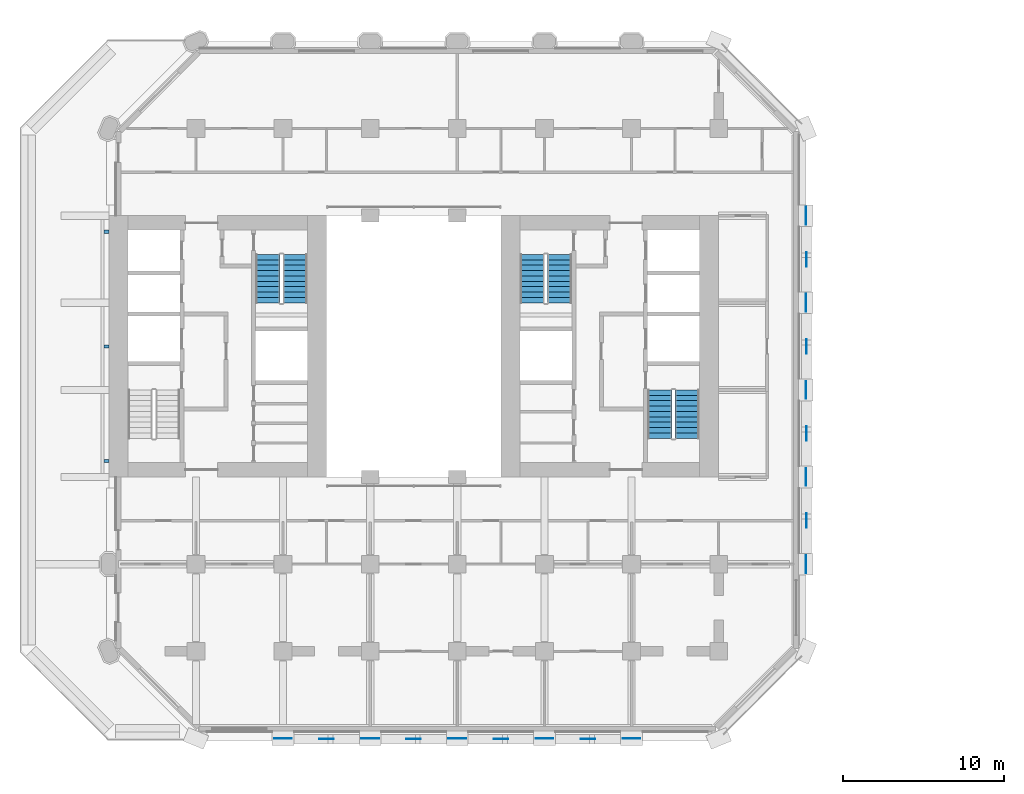
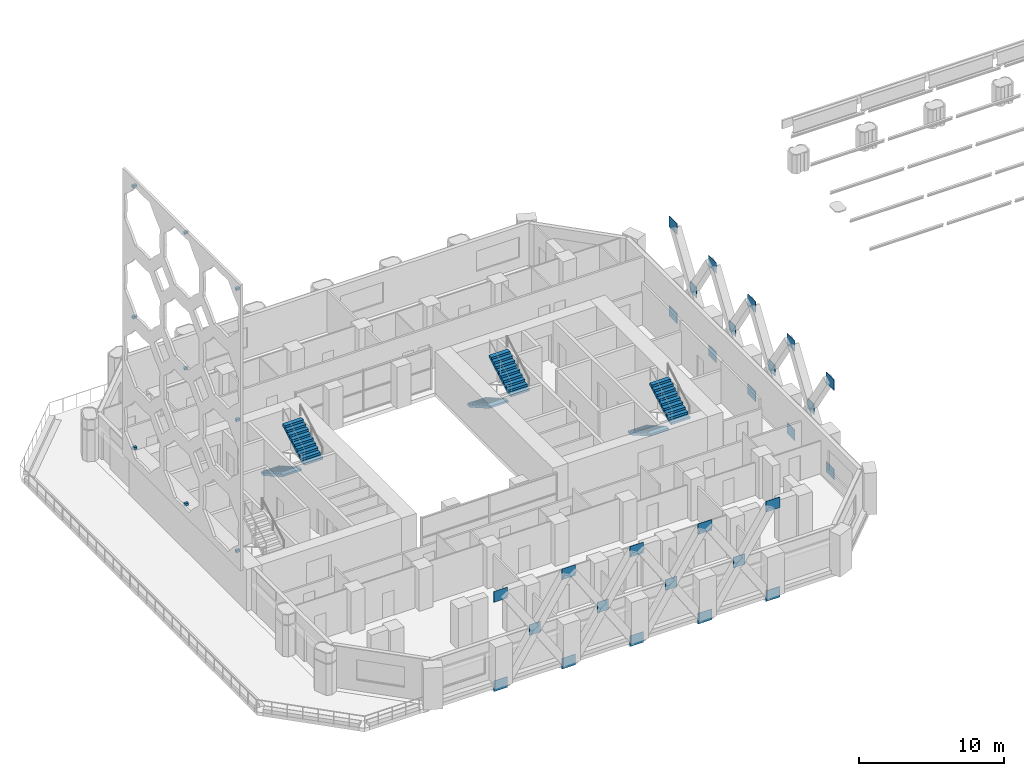
# One storey, part 11 of 14: 37 discrete accessories, 6 stair flights, 3 elements without a shape of their own.
"""IFC4 building model written with IfcOpenShell, lengths in metres."""

from ifc_helpers import new_model, si_unit, direction, frame, origin, origin_2d, place, context, subcontext, project, spatial, polyline, rectangle, outline, extrude, material, layer, layer_set, type_object, element, aggregate, save


model = new_model("IFC4")

# Units and contexts
model_context = context("Model", 3, precision=1e-05, world=origin(), true_north=direction((0.0, 1.0)))
body_context = subcontext(model_context, "Body", "Model", "MODEL_VIEW")
ifc_project = project(units=[si_unit("LENGTHUNIT", "METRE"), si_unit("AREAUNIT", "SQUARE_METRE"), si_unit("VOLUMEUNIT", "CUBIC_METRE"), si_unit("PLANEANGLEUNIT", "RADIAN"), si_unit("MASSUNIT", "GRAM", prefix="KILO")], contexts=[model_context])

# Site, building, storey
site_placement = place(None, origin())
site = spatial("IfcSite", under=ifc_project, at=site_placement, CompositionType="ELEMENT")
building_placement = place(site_placement, origin())
building = spatial("IfcBuilding", under=site, at=building_placement, Name="Tabaq Tower and Sports Hall", CompositionType="ELEMENT")
storey_placement = place(building_placement, frame((0.0, 0.0, 33.60009765625)))
storey = spatial("IfcBuildingStorey", under=building, at=storey_placement, Name="L06", CompositionType="ELEMENT", Elevation=33.60009765625)

# Stair, stair flights
ifc_material_1 = material(Name="Concrete C40/50", Category="concrete")
stair_type = type_object("IfcStairType", Name="Exit stair", PredefinedType="HALF_TURN_STAIR", material=ifc_material_1)
stair_1_placement = place(storey_placement, origin())
stair_1 = element("IfcStair", 1, at=stair_1_placement, inside=storey, type_object=stair_type, Name="L06 Exit stair ST2", PredefinedType="HALF_TURN_STAIR")
ifc_material_2 = material(Name="Concrete C40/50", Category="concrete")
stair_flight_type = type_object("IfcStairFlightType", Name="Exit stair flight", PredefinedType="STRAIGHT", material=ifc_material_2)
stair_flight_1_placement = place(storey_placement, frame((15.25, 30.0, 0.0), z_axis=(0.0, 0.0, 1.0), x_axis=(0.0, -1.0, 0.0)))
stair_flight_1 = element("IfcStairFlight", 2, at=stair_flight_1_placement, type_object=stair_flight_type, Name="ST2 flight 1", NumberOfRisers=10, NumberOfTreads=9, PredefinedType="STRAIGHT", RiserHeight=0.19, TreadLength=0.333333333, context=body_context, shape_type="SweptSolid", body=[
    extrude(outline(polyline([(0.0, 0.0), (0.0, 0.18994140625), (0.333251953125, 0.18994140625), (0.333251953125, 0.3798828125), (0.666748046875, 0.3798828125), (0.666748046875, 0.570068359375), (1.0, 0.570068359375), (1.0, 0.760009765625), (1.333251953125, 0.760009765625), (1.333251953125, 0.949951171875), (1.666748046875, 0.949951171875), (1.666748046875, 1.139892578125), (2.0, 1.139892578125), (2.0, 1.330078125), (2.333251953125, 1.330078125), (2.333251953125, 1.52001953125), (2.666748046875, 1.52001953125), (2.666748046875, 1.7099609375), (3.0, 1.7099609375), (3.0, 1.89990234375), (3.0, 1.537353515625), (0.302734375, 0.0), (0.0, 0.0)])), frame((0.0, 0.75, 0.0), z_axis=(0.0, -1.0, 0.0), x_axis=(1.0, 0.0, 0.0)), (0.0, 0.0, 1.0), 1.5),
])
stair_flight_2_placement = place(storey_placement, frame((16.949951171875, 27.0, 1.89990234375), z_axis=(0.0, 0.0, 1.0), x_axis=(0.0, 1.0, 0.0)))
stair_flight_2 = element("IfcStairFlight", 3, at=stair_flight_2_placement, type_object=stair_flight_type, Name="ST2 flight 2", NumberOfRisers=10, NumberOfTreads=9, PredefinedType="STRAIGHT", RiserHeight=0.19, TreadLength=0.333333333, context=body_context, shape_type="SweptSolid", body=[
    extrude(outline(polyline([(0.0, 0.0), (0.0, 0.18994140625), (0.333251953125, 0.18994140625), (0.333251953125, 0.3798828125), (0.666748046875, 0.3798828125), (0.666748046875, 0.570068359375), (1.0, 0.570068359375), (1.0, 0.760009765625), (1.333251953125, 0.760009765625), (1.333251953125, 0.949951171875), (1.666748046875, 0.949951171875), (1.666748046875, 1.139892578125), (2.0, 1.139892578125), (2.0, 1.330078125), (2.333251953125, 1.330078125), (2.333251953125, 1.52001953125), (2.666748046875, 1.52001953125), (2.666748046875, 1.7099609375), (3.0, 1.7099609375), (3.0, 1.89990234375), (3.0, 1.537353515625), (0.302734375, 0.0), (0.0, 0.0)])), frame((0.0, 0.75, 0.0), z_axis=(0.0, -1.0, 0.0), x_axis=(1.0, 0.0, 0.0)), (0.0, 0.0, 1.0), 1.5),
])
aggregate(stair_1, [stair_flight_1, stair_flight_2])

stair_2_placement = place(storey_placement, origin())
stair_2 = element("IfcStair", 4, at=stair_2_placement, inside=storey, type_object=stair_type, Name="L06 Exit stair ST3", PredefinedType="HALF_TURN_STAIR")
stair_flight_3_placement = place(storey_placement, frame((39.550048828125, 21.60009765625, 0.0), z_axis=(0.0, 0.0, 1.0), x_axis=(0.0, -1.0, 0.0)))
stair_flight_3 = element("IfcStairFlight", 5, at=stair_flight_3_placement, type_object=stair_flight_type, Name="ST3 flight 1", NumberOfRisers=10, NumberOfTreads=9, PredefinedType="STRAIGHT", RiserHeight=0.19, TreadLength=0.333333333, context=body_context, shape_type="SweptSolid", body=[
    extrude(outline(polyline([(0.0, 0.0), (0.0, 0.18994140625), (0.333251953125, 0.18994140625), (0.333251953125, 0.3798828125), (0.666748046875, 0.3798828125), (0.666748046875, 0.570068359375), (1.0, 0.570068359375), (1.0, 0.760009765625), (1.333251953125, 0.760009765625), (1.333251953125, 0.949951171875), (1.666748046875, 0.949951171875), (1.666748046875, 1.139892578125), (2.0, 1.139892578125), (2.0, 1.330078125), (2.333251953125, 1.330078125), (2.333251953125, 1.52001953125), (2.666748046875, 1.52001953125), (2.666748046875, 1.7099609375), (3.0, 1.7099609375), (3.0, 1.89990234375), (3.0, 1.537353515625), (0.302734375, 0.0), (0.0, 0.0)])), frame((0.0, 0.75, 0.0), z_axis=(0.0, -1.0, 0.0), x_axis=(1.0, 0.0, 0.0)), (0.0, 0.0, 1.0), 1.5),
])
stair_flight_4_placement = place(storey_placement, frame((41.25, 18.60009765625, 1.89990234375), z_axis=(0.0, 0.0, 1.0), x_axis=(0.0, 1.0, 0.0)))
stair_flight_4 = element("IfcStairFlight", 6, at=stair_flight_4_placement, type_object=stair_flight_type, Name="ST3 flight 2", NumberOfRisers=10, NumberOfTreads=9, PredefinedType="STRAIGHT", RiserHeight=0.19, TreadLength=0.333333333, context=body_context, shape_type="SweptSolid", body=[
    extrude(outline(polyline([(0.0, 0.0), (0.0, 0.18994140625), (0.333251953125, 0.18994140625), (0.333251953125, 0.3798828125), (0.666748046875, 0.3798828125), (0.666748046875, 0.570068359375), (1.0, 0.570068359375), (1.0, 0.760009765625), (1.333251953125, 0.760009765625), (1.333251953125, 0.949951171875), (1.666748046875, 0.949951171875), (1.666748046875, 1.139892578125), (2.0, 1.139892578125), (2.0, 1.330078125), (2.333251953125, 1.330078125), (2.333251953125, 1.52001953125), (2.666748046875, 1.52001953125), (2.666748046875, 1.7099609375), (3.0, 1.7099609375), (3.0, 1.89990234375), (3.0, 1.537353515625), (0.302734375, 0.0), (0.0, 0.0)])), frame((0.0, 0.75, 0.0), z_axis=(0.0, -1.0, 0.0), x_axis=(1.0, 0.0, 0.0)), (0.0, 0.0, 1.0), 1.5),
])
aggregate(stair_2, [stair_flight_3, stair_flight_4])

stair_3_placement = place(storey_placement, origin())
stair_3 = element("IfcStair", 7, at=stair_3_placement, inside=storey, type_object=stair_type, Name="L06 Exit stair ST4", PredefinedType="HALF_TURN_STAIR")
stair_flight_5_placement = place(storey_placement, frame((31.64990234375, 30.0, 0.0), z_axis=(0.0, 0.0, 1.0), x_axis=(0.0, -1.0, 0.0)))
stair_flight_5 = element("IfcStairFlight", 8, at=stair_flight_5_placement, type_object=stair_flight_type, Name="ST4 flight 1", NumberOfRisers=10, NumberOfTreads=9, PredefinedType="STRAIGHT", RiserHeight=0.19, TreadLength=0.333333333, context=body_context, shape_type="SweptSolid", body=[
    extrude(outline(polyline([(0.0, 0.0), (0.0, 0.18994140625), (0.333251953125, 0.18994140625), (0.333251953125, 0.3798828125), (0.666748046875, 0.3798828125), (0.666748046875, 0.570068359375), (1.0, 0.570068359375), (1.0, 0.760009765625), (1.333251953125, 0.760009765625), (1.333251953125, 0.949951171875), (1.666748046875, 0.949951171875), (1.666748046875, 1.139892578125), (2.0, 1.139892578125), (2.0, 1.330078125), (2.333251953125, 1.330078125), (2.333251953125, 1.52001953125), (2.666748046875, 1.52001953125), (2.666748046875, 1.7099609375), (3.0, 1.7099609375), (3.0, 1.89990234375), (3.0, 1.537353515625), (0.302734375, 0.0), (0.0, 0.0)])), frame((0.0, 0.75, 0.0), z_axis=(0.0, -1.0, 0.0), x_axis=(1.0, 0.0, 0.0)), (0.0, 0.0, 1.0), 1.5),
])
stair_flight_6_placement = place(storey_placement, frame((33.35009765625, 27.0, 1.89990234375), z_axis=(0.0, 0.0, 1.0), x_axis=(0.0, 1.0, 0.0)))
stair_flight_6 = element("IfcStairFlight", 9, at=stair_flight_6_placement, type_object=stair_flight_type, Name="ST4 flight 2", NumberOfRisers=10, NumberOfTreads=9, PredefinedType="STRAIGHT", RiserHeight=0.19, TreadLength=0.333333333, context=body_context, shape_type="SweptSolid", body=[
    extrude(outline(polyline([(0.0, 0.0), (0.0, 0.18994140625), (0.333251953125, 0.18994140625), (0.333251953125, 0.3798828125), (0.666748046875, 0.3798828125), (0.666748046875, 0.570068359375), (1.0, 0.570068359375), (1.0, 0.760009765625), (1.333251953125, 0.760009765625), (1.333251953125, 0.949951171875), (1.666748046875, 0.949951171875), (1.666748046875, 1.139892578125), (2.0, 1.139892578125), (2.0, 1.330078125), (2.333251953125, 1.330078125), (2.333251953125, 1.52001953125), (2.666748046875, 1.52001953125), (2.666748046875, 1.7099609375), (3.0, 1.7099609375), (3.0, 1.89990234375), (3.0, 1.537353515625), (0.302734375, 0.0), (0.0, 0.0)])), frame((0.0, 0.75, 0.0), z_axis=(0.0, -1.0, 0.0), x_axis=(1.0, 0.0, 0.0)), (0.0, 0.0, 1.0), 1.5),
])
aggregate(stair_3, [stair_flight_5, stair_flight_6])

# Discrete accessories
ifc_material_3 = material(Name="Steel S355", Category="steel")
ifc_layer_1 = layer(ifc_material_3, 0.030029296875)
ifc_layer_set_1 = layer_set([ifc_layer_1], Name="TRANSFER BAND NODE PLATE 1100x900x30 S355")
discrete_accessory_type_1 = type_object("IfcDiscreteAccessoryType", Name="TRANSFER BAND NODE PLATE 1100x900x30 S355", PredefinedType="ANCHORPLATE", material=ifc_layer_set_1)
for number, where, z_axis, x_axis, name in (
    (10, (16.199951171875, -0.014892578125, -0.5), (0.0, 0.0, 1.0), (1.0, 0.0, 0.0), "Transfer band node plate L06 South"),
    (11, (21.60009765625, -0.014892578125, -0.5), (0.0, 0.0, 1.0), (1.0, 0.0, 0.0), "Transfer band node plate L06 South"),
    (12, (27.0, -0.014892578125, -0.5), (0.0, 0.0, 1.0), (1.0, 0.0, 0.0), "Transfer band node plate L06 South"),
    (13, (32.39990234375, -0.014892578125, -0.5), (0.0, 0.0, 1.0), (1.0, 0.0, 0.0), "Transfer band node plate L06 South"),
    (14, (37.800048828125, -0.014892578125, -0.5), (0.0, 0.0, 1.0), (1.0, 0.0, 0.0), "Transfer band node plate L06 South"),
    (15, (16.199951171875, -0.014892578125, 7.0), (0.0, 0.0, 1.0), (1.0, 0.0, 0.0), "Transfer band node plate L06 South"),
    (16, (21.60009765625, -0.014892578125, 7.0), (0.0, 0.0, 1.0), (1.0, 0.0, 0.0), "Transfer band node plate L06 South"),
    (17, (27.0, -0.014892578125, 7.0), (0.0, 0.0, 1.0), (1.0, 0.0, 0.0), "Transfer band node plate L06 South"),
    (18, (32.39990234375, -0.014892578125, 7.0), (0.0, 0.0, 1.0), (1.0, 0.0, 0.0), "Transfer band node plate L06 South"),
    (19, (37.800048828125, -0.014892578125, 7.0), (0.0, 0.0, 1.0), (1.0, 0.0, 0.0), "Transfer band node plate L06 South"),
    (20, (48.614990234375, 10.800048828125, -0.5), (0.0, 0.0, 1.0), (0.0, 1.0, 0.0), "Transfer band node plate L06 East"),
    (21, (48.614990234375, 16.199951171875, -0.5), (0.0, 0.0, 1.0), (0.0, 1.0, 0.0), "Transfer band node plate L06 East"),
    (22, (48.614990234375, 21.60009765625, -0.5), (0.0, 0.0, 1.0), (0.0, 1.0, 0.0), "Transfer band node plate L06 East"),
    (23, (48.614990234375, 27.0, -0.5), (0.0, 0.0, 1.0), (0.0, 1.0, 0.0), "Transfer band node plate L06 East"),
    (24, (48.614990234375, 32.39990234375, -0.5), (0.0, 0.0, 1.0), (0.0, 1.0, 0.0), "Transfer band node plate L06 East"),
    (25, (48.614990234375, 10.800048828125, 7.0), (0.0, 0.0, 1.0), (0.0, 1.0, 0.0), "Transfer band node plate L06 East"),
    (26, (48.614990234375, 16.199951171875, 7.0), (0.0, 0.0, 1.0), (0.0, 1.0, 0.0), "Transfer band node plate L06 East"),
    (27, (48.614990234375, 21.60009765625, 7.0), (0.0, 0.0, 1.0), (0.0, 1.0, 0.0), "Transfer band node plate L06 East"),
    (28, (48.614990234375, 27.0, 7.0), (0.0, 0.0, 1.0), (0.0, 1.0, 0.0), "Transfer band node plate L06 East"),
    (29, (48.614990234375, 32.39990234375, 7.0), (0.0, 0.0, 1.0), (0.0, 1.0, 0.0), "Transfer band node plate L06 East"),
):
    element("IfcDiscreteAccessory", number, at=place(storey_placement, frame(where, z_axis=z_axis, x_axis=x_axis)), inside=storey, type_object=discrete_accessory_type_1, Name=name, PredefinedType="ANCHORPLATE", context=body_context, shape_type="SweptSolid", body=[
        extrude(rectangle(XDim=1.10009765625, YDim=0.030029296875, at=origin_2d()), origin(), (0.0, 0.0, 1.0), 0.89990234375),
    ])
ifc_material_4 = material(Name="Steel S355", Category="steel")
ifc_layer_2 = layer(ifc_material_4, 0.030029296875)
ifc_layer_set_2 = layer_set([ifc_layer_2], Name="TRANSFER BAND NODE PLATE 900x900x30 S355")
discrete_accessory_type_2 = type_object("IfcDiscreteAccessoryType", Name="TRANSFER BAND NODE PLATE 900x900x30 S355", PredefinedType="ANCHORPLATE", material=ifc_layer_set_2)
for number, where, z_axis, x_axis, name in (
    (30, (18.89990234375, -0.050048828125, 3.25), (0.0, 0.0, 1.0), (1.0, 0.0, 0.0), "Transfer band node plate L06 South"),
    (31, (24.300048828125, -0.050048828125, 3.25), (0.0, 0.0, 1.0), (1.0, 0.0, 0.0), "Transfer band node plate L06 South"),
    (32, (29.699951171875, -0.050048828125, 3.25), (0.0, 0.0, 1.0), (1.0, 0.0, 0.0), "Transfer band node plate L06 South"),
    (33, (35.10009765625, -0.050048828125, 3.25), (0.0, 0.0, 1.0), (1.0, 0.0, 0.0), "Transfer band node plate L06 South"),
    (34, (48.64990234375, 13.5, 3.25), (0.0, 0.0, 1.0), (0.0, 1.0, 0.0), "Transfer band node plate L06 East"),
    (35, (48.64990234375, 18.89990234375, 3.25), (0.0, 0.0, 1.0), (0.0, 1.0, 0.0), "Transfer band node plate L06 East"),
    (36, (48.64990234375, 24.300048828125, 3.25), (0.0, 0.0, 1.0), (0.0, 1.0, 0.0), "Transfer band node plate L06 East"),
    (37, (48.64990234375, 29.699951171875, 3.25), (0.0, 0.0, 1.0), (0.0, 1.0, 0.0), "Transfer band node plate L06 East"),
):
    element("IfcDiscreteAccessory", number, at=place(storey_placement, frame(where, z_axis=z_axis, x_axis=x_axis)), inside=storey, type_object=discrete_accessory_type_2, Name=name, PredefinedType="ANCHORPLATE", context=body_context, shape_type="SweptSolid", body=[
        extrude(rectangle(XDim=0.89990234375, YDim=0.030029296875, at=origin_2d()), origin(), (0.0, 0.0, 1.0), 0.89990234375),
    ])
for number, where, z_axis, x_axis, name in (
    (38, (5.25, 31.39990234375, 4.44970703125), (0.0, 0.0, 1.0), (0.0, 1.0, 0.0), "Stainless steel bracket"),
    (39, (5.25, 31.39990234375, 15.44970703125), (0.0, 0.0, 1.0), (0.0, 1.0, 0.0), "Stainless steel bracket"),
    (40, (5.25, 31.39990234375, 26.44970703125), (0.0, 0.0, 1.0), (0.0, 1.0, 0.0), "Stainless steel bracket"),
    (41, (5.25, 24.300048828125, 4.0498046875), (0.0, 0.0, 1.0), (0.0, 1.0, 0.0), "Stainless steel bracket"),
    (42, (5.25, 24.300048828125, 15.44970703125), (0.0, 0.0, 1.0), (0.0, 1.0, 0.0), "Stainless steel bracket"),
    (43, (5.25, 24.300048828125, 26.85009765625), (0.0, 0.0, 1.0), (0.0, 1.0, 0.0), "Stainless steel bracket"),
    (44, (5.25, 17.199951171875, 4.44970703125), (0.0, 0.0, 1.0), (0.0, 1.0, 0.0), "Stainless steel bracket"),
    (45, (5.25, 17.199951171875, 15.44970703125), (0.0, 0.0, 1.0), (0.0, 1.0, 0.0), "Stainless steel bracket"),
    (46, (5.25, 17.199951171875, 26.44970703125), (0.0, 0.0, 1.0), (0.0, 1.0, 0.0), "Stainless steel bracket"),
):
    element("IfcDiscreteAccessory", number, at=place(storey_placement, frame(where, z_axis=z_axis, x_axis=x_axis)), inside=storey, Name=name, PredefinedType="BRACKET", context=body_context, shape_type="SweptSolid", body=[
        extrude(rectangle(XDim=0.199951171875, YDim=0.300048828125, at=origin_2d()), origin(), (0.0, 0.0, 1.0), 0.199951171875),
    ])

save(model, "model.ifc")
